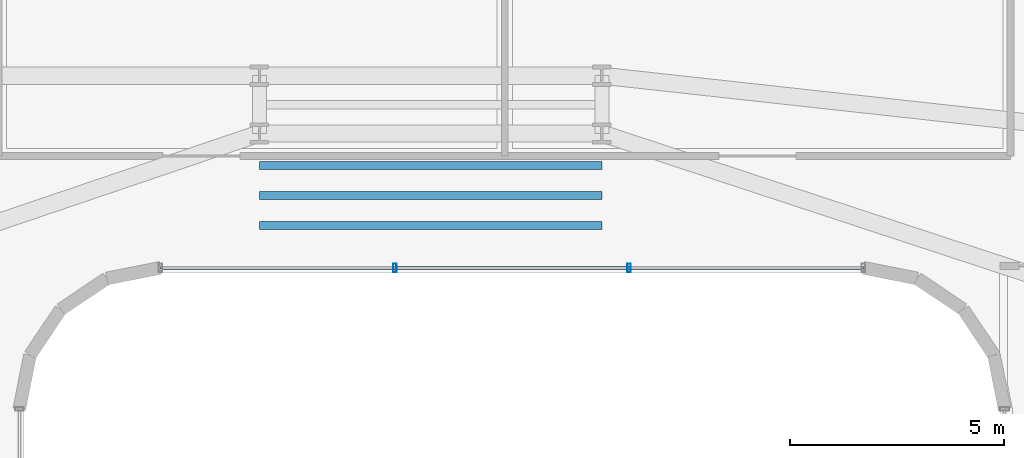
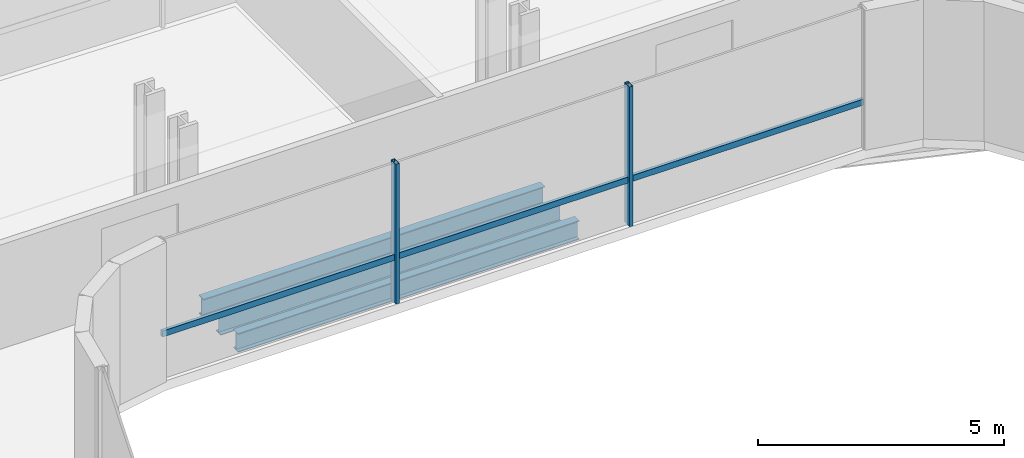
# One storey, part 16 of 40: 3 beams, 3 members, 1 element without a shape of its own.
"""IFC4 building model written with IfcOpenShell, lengths in metres."""

from ifc_helpers import new_model, si_unit, direction, frame, origin, origin_2d, place, context, subcontext, project, spatial, hollow_rectangle, i_section, extrude, source, transform, mapped, material, material_profile, profile_set, type_object, element, aggregate, save


model = new_model("IFC4")

# Units and contexts
model_context = context("Model", 3, precision=1e-05, world=origin(), true_north=direction((0.0, 1.0)))
body_context = subcontext(model_context, "Body", "Model", "MODEL_VIEW")
ifc_project = project(units=[si_unit("LENGTHUNIT", "METRE"), si_unit("AREAUNIT", "SQUARE_METRE"), si_unit("VOLUMEUNIT", "CUBIC_METRE"), si_unit("PLANEANGLEUNIT", "RADIAN"), si_unit("MASSUNIT", "GRAM", prefix="KILO")], contexts=[model_context])

# Site, building, storey
site_placement = place(None, origin())
site = spatial("IfcSite", under=ifc_project, at=site_placement, CompositionType="ELEMENT")
building_placement = place(site_placement, origin())
building = spatial("IfcBuilding", under=site, at=building_placement, Name="Valdorenza Pilgrim Sanctuary Tower", CompositionType="ELEMENT")
storey_placement = place(building_placement, frame((0.0, 0.0, 48.199951171875)))
storey = spatial("IfcBuildingStorey", under=building, at=storey_placement, Name="L11", CompositionType="ELEMENT", Elevation=48.199951171875)

# Beams
ifc_material_1 = material(Name="Steel ASTM A992 Grade 50", Category="steel")
ifc_material_profile_1 = material_profile(ifc_material_1, i_section(OverallWidth=0.193115234375, OverallDepth=0.466064453125, WebThickness=0.011474609375, FlangeThickness=0.01904296875, at=origin_2d()), Name="W18X65")
ifc_profile_set_1 = profile_set([ifc_material_profile_1], Name="Steel ASTM A992 Grade 50")
beam_type = type_object("IfcBeamType", Name="STR-BM-JST-W18A", PredefinedType="JOIST", material=ifc_profile_set_1)
shared_shape_1 = source(origin(), body_context, "Body", "SweptSolid", [
    extrude(i_section(OverallWidth=0.193115234375, OverallDepth=0.466064453125, WebThickness=0.011474609375, FlangeThickness=0.01904296875, at=origin_2d()), origin(), (0.0, 0.0, 1.0), 8.0),
])
for number, where, z_axis, x_axis, name in (
    (1, (-4.0, 11.300048828125, -0.472900390625), (1.0, 0.0, 0.0), (0.0, 1.0, 0.0), "L11 Knuckle Composite Joist JST-KNK-1"),
    (2, (-4.0, 12.0, -0.472900390625), (1.0, 0.0, 0.0), (0.0, 1.0, 0.0), "L11 Knuckle Composite Joist JST-KNK-2"),
    (3, (-4.0, 12.699951171875, -0.472900390625), (1.0, 0.0, 0.0), (0.0, 1.0, 0.0), "L11 Knuckle Composite Joist JST-KNK-3"),
):
    element("IfcBeam", number, at=place(storey_placement, frame(where, z_axis=z_axis, x_axis=x_axis)), inside=storey, type_object=beam_type, Name=name, PredefinedType="JOIST", context=body_context, shape_type="MappedRepresentation", body=[
        mapped(shared_shape_1, transform((0.0, 0.0, 0.0), x_axis=(1.0, 0.0, 0.0), y_axis=(0.0, 1.0, 0.0), z_axis=(0.0, 0.0, 1.0), scale=1.0)),
    ])

# Curtain wall, members
ifc_material_2 = material(Name="Curtain-wall IGU glazing", Category="glass")
curtain_wall_type = type_object("IfcCurtainWallType", Name="CW-SYS-02", PredefinedType="NOTDEFINED", material=ifc_material_2)
curtain_wall_placement = place(storey_placement, origin())
curtain_wall = element("IfcCurtainWall", 4, at=curtain_wall_placement, inside=storey, type_object=curtain_wall_type, Name="L11 Curtain Wall CW-L11-1-36", PredefinedType="NOTDEFINED")
ifc_material_3 = material(Name="Anodised aluminium AW-6060", Category="aluminium")
ifc_material_profile_2 = material_profile(ifc_material_3, hollow_rectangle(XDim=0.0849609375, YDim=0.199951171875, WallThickness=0.0048828125, at=origin_2d()), Name="ALU-M 200x85x5")
ifc_profile_set_2 = profile_set([ifc_material_profile_2], Name="Anodised aluminium AW-6060")
member_type_1 = type_object("IfcMemberType", Name="CW-MUL-02", PredefinedType="MULLION", material=ifc_profile_set_2)
shared_shape_2 = source(origin(), body_context, "Body", "SweptSolid", [
    extrude(hollow_rectangle(XDim=0.0849609375, YDim=0.199951171875, WallThickness=0.0048828125, at=origin_2d()), origin(), (0.0, 0.0, 1.0), 3.4599609375),
])
member_1_placement = place(storey_placement, frame((4.636962890625, 10.31005859375, 0.0), z_axis=(0.0, 0.0, 1.0), x_axis=(-1.0, 0.0, 0.0)))
member_1 = element("IfcMember", 5, at=member_1_placement, type_object=member_type_1, Name="CW-L11-1-36 Mullion 2", PredefinedType="MULLION", context=body_context, shape_type="MappedRepresentation", body=[
    mapped(shared_shape_2, transform((0.0, 0.0, 0.0), x_axis=(1.0, 0.0, 0.0), y_axis=(0.0, 1.0, 0.0), z_axis=(0.0, 0.0, 1.0), scale=1.0)),
])
member_2_placement = place(storey_placement, frame((-0.8369140625, 10.31005859375, 0.0), z_axis=(0.0, 0.0, 1.0), x_axis=(-1.0, 0.0, 0.0)))
member_2 = element("IfcMember", 6, at=member_2_placement, type_object=member_type_1, Name="CW-L11-1-36 Mullion 3", PredefinedType="MULLION", context=body_context, shape_type="MappedRepresentation", body=[
    mapped(shared_shape_2, transform((0.0, 0.0, 0.0), x_axis=(1.0, 0.0, 0.0), y_axis=(0.0, 1.0, 0.0), z_axis=(0.0, 0.0, 1.0), scale=1.0)),
])
ifc_material_profile_3 = material_profile(ifc_material_3, hollow_rectangle(XDim=0.074951171875, YDim=0.14990234375, WallThickness=0.00390625, at=origin_2d()), Name="ALU-T 150x75x4")
ifc_profile_set_3 = profile_set([ifc_material_profile_3], Name="Anodised aluminium AW-6060")
member_type_2 = type_object("IfcMemberType", Name="CW-TRN-02", PredefinedType="USERDEFINED", material=ifc_profile_set_3)
shared_shape_3 = source(origin(), body_context, "Body", "SweptSolid", [
    extrude(hollow_rectangle(XDim=0.074951171875, YDim=0.14990234375, WallThickness=0.00390625, at=origin_2d()), origin(), (0.0, 0.0, 1.0), 16.421630859375),
])
member_3_placement = place(storey_placement, frame((10.11083984375, 10.31005859375, 1.1201171875), z_axis=(-1.0, 0.0, 0.0), x_axis=(0.0, -1.0, 0.0)))
member_3 = element("IfcMember", 7, at=member_3_placement, type_object=member_type_2, Name="CW-L11-1-36 Transom 1", ObjectType="TRANSOM", PredefinedType="USERDEFINED", context=body_context, shape_type="MappedRepresentation", body=[
    mapped(shared_shape_3, transform((0.0, 0.0, 0.0), x_axis=(1.0, 0.0, 0.0), y_axis=(0.0, 1.0, 0.0), z_axis=(0.0, 0.0, 1.0), scale=1.0)),
])
aggregate(curtain_wall, [member_1, member_2, member_3])

save(model, "model.ifc")
